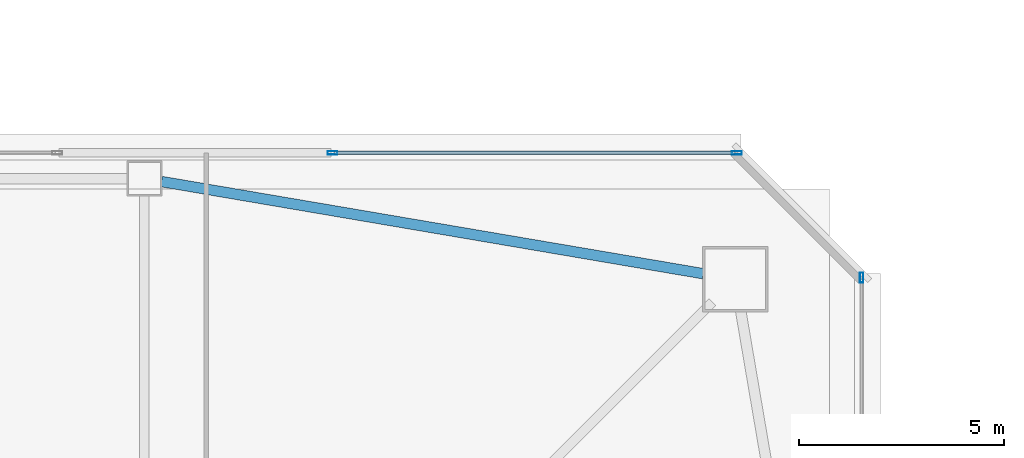
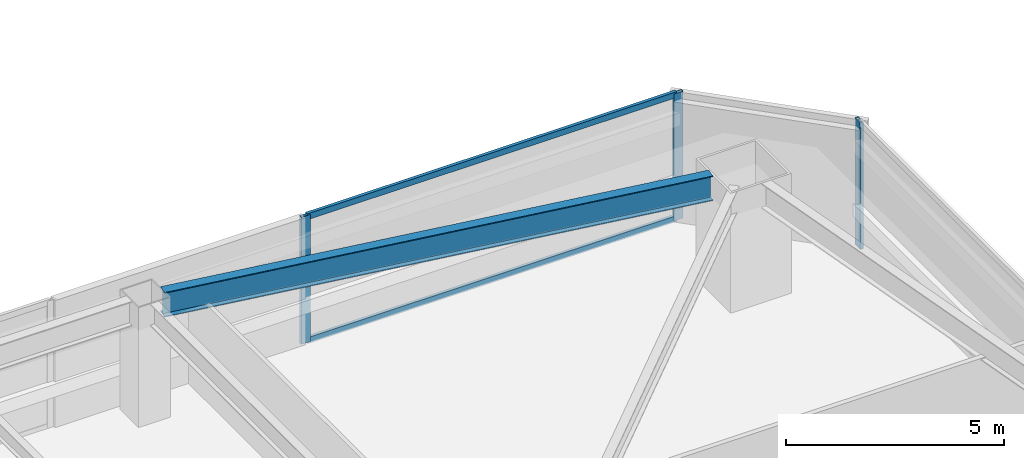
# One storey, part 16 of 46: 5 members, 1 beam, 2 elements without a shape of their own.
"""IFC4 building model written with IfcOpenShell, lengths in metres."""

import ifcopenshell
import ifcopenshell.guid

model = None  # the IFC model being written
_history = None  # IfcOwnerHistory: only IFC2X3 demands one
_inside = {}  # id of a spatial element -> (the spatial element, [elements in it])
_under = {}  # id of a project, library or spatial element -> (it, [spatial elements below it])
_declared = {}  # id of a project -> (the project, [libraries it declares])
_typed = {}  # id of a type object -> (the type object, [elements of that type])
_made_of = {}  # id of a material, layer set ... -> (it, [elements and type objects made of it])


def new_model(schema):
    """Start an empty IFC model of exactly this schema.

    Asked for "IFC4X3", IfcOpenShell would pick the latest addendum, in which some entities
    have other attributes; the version numbers below select the first issue.
    IFC2X3 requires an IfcOwnerHistory on every rooted entity: one is made here for all.
    """
    global model, _history
    if schema == "IFC4X3":
        model = ifcopenshell.file(schema_version=(4, 3, 0, 0))
    else:
        model = ifcopenshell.file(schema=schema)
    _inside.clear()
    _under.clear()
    _declared.clear()
    _typed.clear()
    _made_of.clear()
    _history = None
    if model.schema == "IFC2X3":
        org = make("IfcOrganization", Name="unknown")
        user = make(
            "IfcPersonAndOrganization",
            ThePerson=make("IfcPerson", FamilyName="unknown"),
            TheOrganization=org,
        )
        app = make(
            "IfcApplication",
            ApplicationDeveloper=org,
            Version="unknown",
            ApplicationFullName="unknown",
            ApplicationIdentifier="unknown",
        )
        _history = make(
            "IfcOwnerHistory",
            OwningUser=user,
            OwningApplication=app,
            ChangeAction="ADDED",
            CreationDate=0,
        )
    return model


def make(cls, **values):
    """One entity of the class cls with the attributes given. An attribute that is None is left unset."""
    return model.create_entity(
        cls, **{name: value for name, value in values.items() if value is not None}
    )


def rooted(cls, **values):
    """An entity with a GlobalId (a new one), such as an element, a storey or a relation."""
    return make(cls, GlobalId=ifcopenshell.guid.new(), OwnerHistory=_history, **values)


def si_unit(unit_type, name, prefix=None):
    """IfcSIUnit, for example si_unit("LENGTHUNIT", "METRE", prefix="MILLI")."""
    return make("IfcSIUnit", UnitType=unit_type, Prefix=prefix, Name=name)


def assignment(units):
    """IfcUnitAssignment: the units of a project."""
    return None if units is None else make("IfcUnitAssignment", Units=units)


def point(xyz):
    """IfcCartesianPoint."""
    return None if xyz is None else make("IfcCartesianPoint", Coordinates=xyz)


def direction(xyz):
    """IfcDirection."""
    return None if xyz is None else make("IfcDirection", DirectionRatios=xyz)


def frame(location, z_axis=None, x_axis=None):
    """IfcAxis2Placement3D, a coordinate frame: its origin and axes. An axis left out is left unset."""
    return make(
        "IfcAxis2Placement3D",
        Location=point(location),
        Axis=direction(z_axis),
        RefDirection=direction(x_axis),
    )


def frame_2d(location, x_axis=None):
    """IfcAxis2Placement2D, a coordinate frame in the plane: its origin and x axis."""
    return make(
        "IfcAxis2Placement2D", Location=point(location), RefDirection=direction(x_axis)
    )


def origin():
    """The frame at (0, 0, 0) with its axes left unset."""
    return frame((0.0, 0.0, 0.0))


def origin_2d():
    """The frame at (0, 0) in the plane with its x axis left unset."""
    return frame_2d((0.0, 0.0))


def place(relative_to, where):
    """IfcLocalPlacement: puts the frame where relative to a parent placement (None: the world)."""
    return make(
        "IfcLocalPlacement", PlacementRelTo=relative_to, RelativePlacement=where
    )


def context(
    kind, dimensions, precision=None, world=None, true_north=None, identifier=None
):
    """IfcGeometricRepresentationContext, for example the 3D "Model" context."""
    return make(
        "IfcGeometricRepresentationContext",
        ContextIdentifier=identifier,
        ContextType=kind,
        CoordinateSpaceDimension=dimensions,
        Precision=precision,
        WorldCoordinateSystem=world,
        TrueNorth=true_north,
    )


def subcontext(parent, identifier, kind, view, scale=None):
    """IfcGeometricRepresentationSubContext, for example "Body" below "Model"."""
    return make(
        "IfcGeometricRepresentationSubContext",
        ContextIdentifier=identifier,
        ContextType=kind,
        ParentContext=parent,
        TargetScale=scale,
        TargetView=view,
    )


def project(units=None, contexts=None):
    """IfcProject with its units and contexts."""
    return rooted(
        "IfcProject",
        Name="project",
        RepresentationContexts=contexts,
        UnitsInContext=assignment(units),
    )


def spatial(cls, under=None, at=None, **own):
    """A site, building, storey or space (cls), placed at a placement, below another one or the project."""
    s = rooted(cls, ObjectPlacement=at, **own)
    if under is not None:
        _under.setdefault(under.id(), (under, []))[1].append(s)
    return s


def profile(cls, at=None, kind="AREA", **sizes):
    """A parametric profile (cls). Its sizes go by their IFC names, for example OverallWidth=200.0."""
    return make(cls, ProfileType=kind, Position=at, **sizes)


def hollow_rectangle(**sizes):
    """IfcRectangleHollowProfileDef."""
    return profile("IfcRectangleHollowProfileDef", **sizes)


def i_section(**sizes):
    """IfcIShapeProfileDef."""
    return profile("IfcIShapeProfileDef", **sizes)


def extrude(swept, where, along, depth):
    """IfcExtrudedAreaSolid: the profile swept, set in the frame where, extruded along a direction by depth."""
    return make(
        "IfcExtrudedAreaSolid",
        SweptArea=swept,
        Position=where,
        ExtrudedDirection=direction(along),
        Depth=depth,
    )


def shape(context_of_items, identifier, shape_type, items):
    """IfcShapeRepresentation: the items that make up one representation, for example the "Body"."""
    return make(
        "IfcShapeRepresentation",
        ContextOfItems=context_of_items,
        RepresentationIdentifier=identifier,
        RepresentationType=shape_type,
        Items=items,
    )


def material(Name=None, Category=None):
    """IfcMaterial."""
    return make("IfcMaterial", Name=Name, Category=Category)


def material_profile(
    of_material, cross_section, Name=None, Category=None, Priority=None
):
    """IfcMaterialProfile: a cross section and its material."""
    return make(
        "IfcMaterialProfile",
        Name=Name,
        Material=of_material,
        Profile=cross_section,
        Priority=Priority,
        Category=Category,
    )


def profile_set(profiles, Name=None, composite=None):
    """IfcMaterialProfileSet."""
    return make(
        "IfcMaterialProfileSet",
        Name=Name,
        MaterialProfiles=profiles,
        CompositeProfile=composite,
    )


def made_of(thing, what):
    """Note that an element or type object is made of a material, layer set ...; save() writes the relation."""
    if what is not None:
        _made_of.setdefault(what.id(), (what, []))[1].append(thing)
    return thing


def type_object(cls, material=None, **own):
    """A type object (cls), such as IfcWallType, which elements share."""
    return made_of(rooted(cls, **own), material)


def element(
    cls,
    number,
    at=None,
    inside=None,
    cuts=None,
    type_object=None,
    material=None,
    context=None,
    identifier="Body",
    shape_type=None,
    held_by="IfcProductDefinitionShape",
    body=None,
    shapes=None,
    **own,
):
    """One element of the class cls, such as IfcWall. Its Tag is "e" and its number.

    at: its placement. inside: the storey or other place that contains it. cuts: it is an
    opening in that element (IfcRelVoidsElement). A single representation is given by context,
    identifier, shape_type and body (its items); several are given by shapes. held_by: the class
    of the entity that holds the representations. save() writes the other relations.
    """
    e = rooted(cls, Tag="e%d" % number, ObjectPlacement=at, **own)
    if body is not None:
        shapes = [shape(context, identifier, shape_type, body)]
    if shapes is not None:
        e.Representation = make(held_by, Representations=shapes)
    if inside is not None:
        _inside.setdefault(inside.id(), (inside, []))[1].append(e)
    if cuts is not None:
        rooted(
            "IfcRelVoidsElement", RelatingBuildingElement=cuts, RelatedOpeningElement=e
        )
    if type_object is not None:
        _typed.setdefault(type_object.id(), (type_object, []))[1].append(e)
    return made_of(e, material)


def aggregate(whole, parts):
    """IfcRelAggregates: a whole, such as a stair, and the parts it consists of."""
    return rooted("IfcRelAggregates", RelatingObject=whole, RelatedObjects=parts)


def save(model, path):
    """Write the relations noted so far, then the file.

    IfcRelAggregates (storeys below a building ...), IfcRelContainedInSpatialStructure (elements
    in a storey), IfcRelDefinesByType, IfcRelAssociatesMaterial and IfcRelDeclares: one each for
    every whole, place, type object, material and project.
    """
    for whole, parts in _under.values():
        aggregate(whole, parts)
    for where, things in _inside.values():
        rooted(
            "IfcRelContainedInSpatialStructure",
            RelatedElements=things,
            RelatingStructure=where,
        )
    for kind, things in _typed.values():
        rooted("IfcRelDefinesByType", RelatedObjects=things, RelatingType=kind)
    for what, things in _made_of.values():
        rooted("IfcRelAssociatesMaterial", RelatedObjects=things, RelatingMaterial=what)
    for by, libraries in _declared.values():
        rooted("IfcRelDeclares", RelatingContext=by, RelatedDefinitions=libraries)
    model.write(path)


model = new_model("IFC4")

# Units and contexts
model_context = context("Model", 3, precision=1e-05, world=origin(), true_north=direction((0.0, 1.0)))
body_context = subcontext(model_context, "Body", "Model", "MODEL_VIEW")
ifc_project = project(units=[si_unit("LENGTHUNIT", "METRE"), si_unit("AREAUNIT", "SQUARE_METRE"), si_unit("VOLUMEUNIT", "CUBIC_METRE"), si_unit("PLANEANGLEUNIT", "RADIAN"), si_unit("MASSUNIT", "GRAM", prefix="KILO")], contexts=[model_context])

# Site, building, storey
site_placement = place(None, origin())
site = spatial("IfcSite", under=ifc_project, at=site_placement, CompositionType="ELEMENT")
building_placement = place(site_placement, origin())
building = spatial("IfcBuilding", under=site, at=building_placement, Name="Tashvorn Skyway Center", CompositionType="ELEMENT")
storey_placement = place(building_placement, frame((0.0, 0.0, 38.800048828125)))
storey = spatial("IfcBuildingStorey", under=building, at=storey_placement, Name="L09", CompositionType="ELEMENT", Elevation=38.800048828125)

# Beam
ifc_material_1 = material(Name="Steel ASTM A992 Grade 50", Category="steel")
ifc_material_profile_1 = material_profile(ifc_material_1, i_section(OverallWidth=0.256103515625, OverallDepth=0.693115234375, WebThickness=0.014404296875, FlangeThickness=0.023681640625, at=origin_2d()), Name="W27X114")
ifc_profile_set_1 = profile_set([ifc_material_profile_1], Name="Steel ASTM A992 Grade 50")
beam_type = type_object("IfcBeamType", Name="BM-SPANDREL-W27X114", PredefinedType="SPANDREL", material=ifc_profile_set_1)
beam_placement = place(storey_placement, frame((61.016357421875, 51.933349609375, 3.00341796875), z_axis=(-0.985835025551, 0.16771792509, 0.0), x_axis=(-0.16771792509, -0.985835025551, 0.0)))
element("IfcBeam", 1, at=beam_placement, inside=storey, type_object=beam_type, Name="Tower 1 L09 Spandrel Beam 07", PredefinedType="SPANDREL", context=body_context, shape_type="SweptSolid", body=[
    extrude(i_section(OverallWidth=0.256103515625, OverallDepth=0.693115234375, WebThickness=0.014404296875, FlangeThickness=0.023681640625, at=origin_2d()), origin(), (0.0, 0.0, 1.0), 13.39208984375),
])

# Curtain wall, members
ifc_material_2 = material(Name="Thermally broken bronze-anodized aluminium 6063-T6", Category="aluminium")
curtain_wall_type = type_object("IfcCurtainWallType", Name="CW-CW-Z1", PredefinedType="NOTDEFINED", material=ifc_material_2)
curtain_wall_1_placement = place(storey_placement, origin())
curtain_wall_1 = element("IfcCurtainWall", 2, at=curtain_wall_1_placement, inside=storey, type_object=curtain_wall_type, Name="Tower 1 L09 North Unitised Curtain Wall Glazing Group 3", PredefinedType="NOTDEFINED")
ifc_material_profile_2 = material_profile(ifc_material_2, hollow_rectangle(XDim=0.0849609375, YDim=0.239990234375, WallThickness=0.0048828125, at=origin_2d()), Name="ALU-MULL-85x240")
ifc_profile_set_2 = profile_set([ifc_material_profile_2], Name="Thermally broken bronze-anodized aluminium 6063-T6")
member_type_1 = type_object("IfcMemberType", Name="CWM-CW-Z1", PredefinedType="MULLION", material=ifc_profile_set_2)
member_1_placement = place(storey_placement, frame((51.982421875, 54.8798828125, 0.0), z_axis=(0.0, 0.0, 1.0), x_axis=(0.0, 1.0, 0.0)))
member_1 = element("IfcMember", 3, at=member_1_placement, type_object=member_type_1, Name="CW-Z1 mullion 1", PredefinedType="MULLION", context=body_context, shape_type="SweptSolid", body=[
    extrude(hollow_rectangle(XDim=0.0849609375, YDim=0.239990234375, WallThickness=0.0048828125, at=origin_2d()), origin(), (0.0, 0.0, 1.0), 3.550048828125),
])
member_2_placement = place(storey_placement, frame((61.83740234375, 54.8798828125, 0.0), z_axis=(0.0, 0.0, 1.0), x_axis=(0.0, 1.0, 0.0)))
member_2 = element("IfcMember", 4, at=member_2_placement, type_object=member_type_1, Name="CW-Z1 mullion 2", PredefinedType="MULLION", context=body_context, shape_type="SweptSolid", body=[
    extrude(hollow_rectangle(XDim=0.0849609375, YDim=0.239990234375, WallThickness=0.0048828125, at=origin_2d()), origin(), (0.0, 0.0, 1.0), 3.550048828125),
])

# Curtain wall, member
curtain_wall_2_placement = place(storey_placement, origin())
curtain_wall_2 = element("IfcCurtainWall", 5, at=curtain_wall_2_placement, inside=storey, type_object=curtain_wall_type, Name="Tower 1 L09 East Unitised Curtain Wall Glazing Group 1", PredefinedType="NOTDEFINED")
member_3_placement = place(storey_placement, frame((64.8798828125, 51.83740234375, 0.0), z_axis=(0.0, 0.0, 1.0), x_axis=(1.0, 0.0, 0.0)))
member_3 = element("IfcMember", 6, at=member_3_placement, type_object=member_type_1, Name="CW-Z1 mullion 1", PredefinedType="MULLION", context=body_context, shape_type="SweptSolid", body=[
    extrude(hollow_rectangle(XDim=0.0849609375, YDim=0.239990234375, WallThickness=0.0048828125, at=origin_2d()), origin(), (0.0, 0.0, 1.0), 3.550048828125),
])
aggregate(curtain_wall_2, [member_3])

# Member
ifc_material_profile_3 = material_profile(ifc_material_2, hollow_rectangle(XDim=0.0849609375, YDim=0.1650390625, WallThickness=0.0048828125, at=origin_2d()), Name="ALU-TRAN-85x165")
ifc_profile_set_3 = profile_set([ifc_material_profile_3], Name="Thermally broken bronze-anodized aluminium 6063-T6")
member_type_2 = type_object("IfcMemberType", Name="CWT-CW-Z1", PredefinedType="USERDEFINED", material=ifc_profile_set_3)
member_4_placement = place(storey_placement, frame((52.02490234375, 54.8798828125, 0.04248046875), z_axis=(1.0, 0.0, 0.0), x_axis=(0.0, 1.0, 0.0)))
member_4 = element("IfcMember", 7, at=member_4_placement, type_object=member_type_2, Name="CW-Z1 transom 1.1", ObjectType="TRANSOM", PredefinedType="USERDEFINED", context=body_context, shape_type="SweptSolid", body=[
    extrude(hollow_rectangle(XDim=0.0849609375, YDim=0.1650390625, WallThickness=0.0048828125, at=origin_2d()), origin(), (0.0, 0.0, 1.0), 9.77001953125),
])

member_5_placement = place(storey_placement, frame((52.02490234375, 54.8798828125, 3.507568359375), z_axis=(1.0, 0.0, 0.0), x_axis=(0.0, 1.0, 0.0)))
member_5 = element("IfcMember", 8, at=member_5_placement, type_object=member_type_2, Name="CW-Z1 transom 1.2", ObjectType="TRANSOM", PredefinedType="USERDEFINED", context=body_context, shape_type="SweptSolid", body=[
    extrude(hollow_rectangle(XDim=0.0849609375, YDim=0.1650390625, WallThickness=0.0048828125, at=origin_2d()), origin(), (0.0, 0.0, 1.0), 9.77001953125),
])

aggregate(curtain_wall_1, [member_1, member_2, member_4, member_5])

save(model, "model.ifc")
